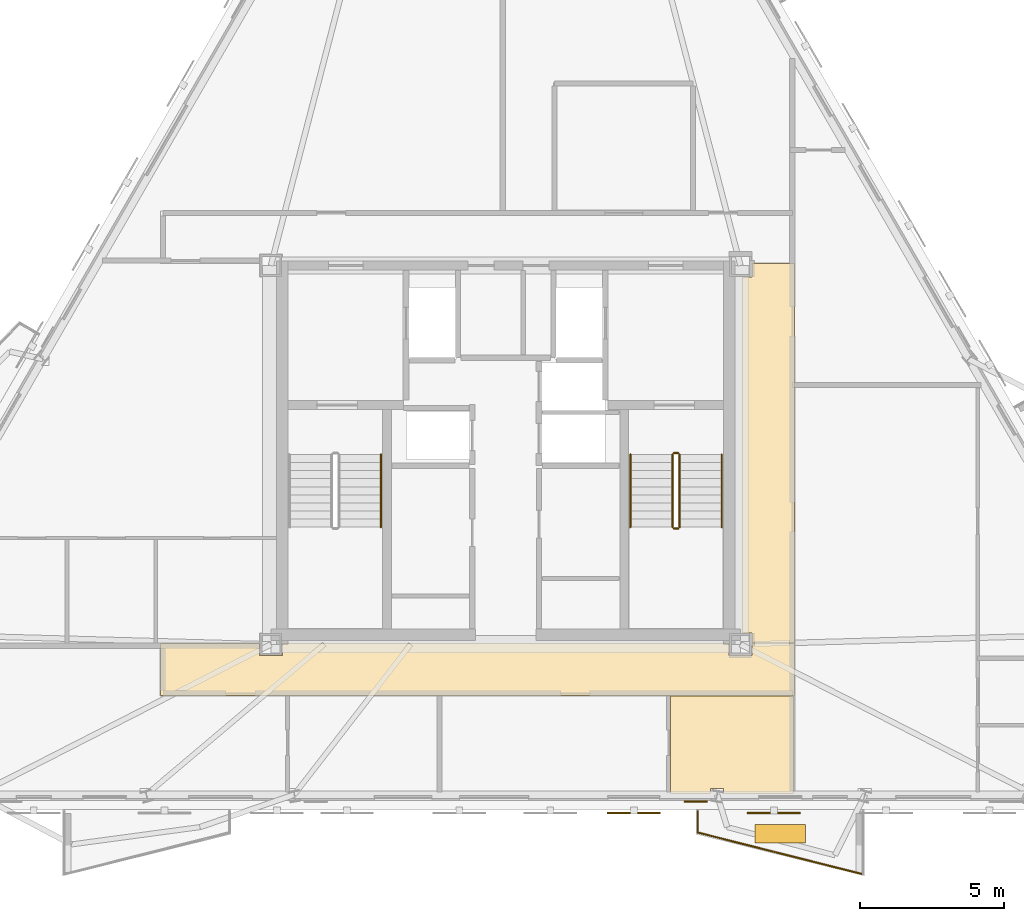
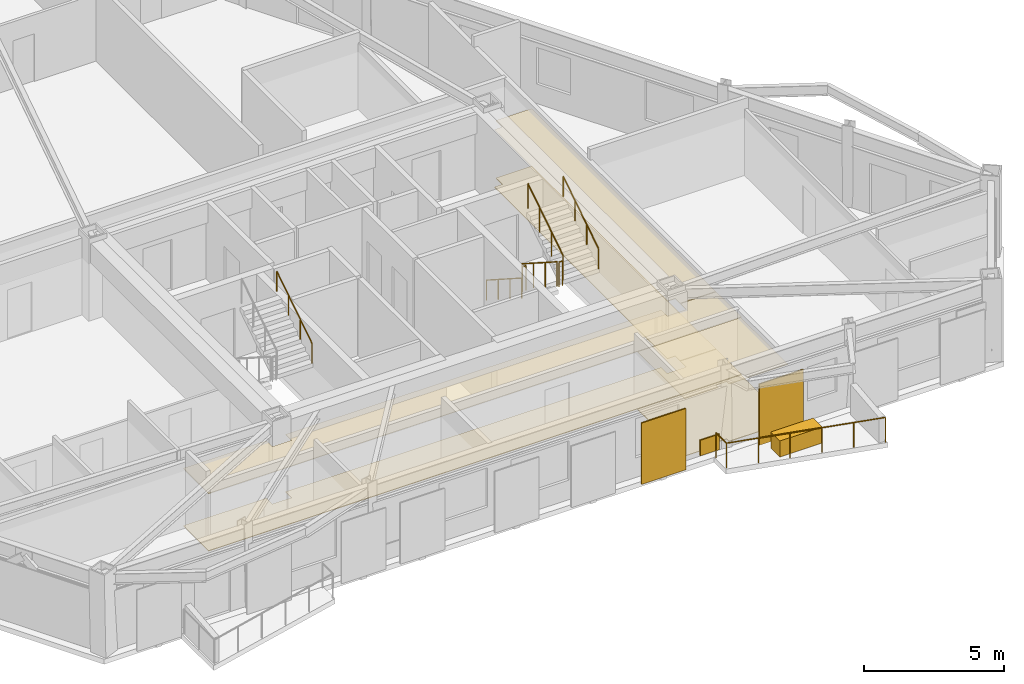
# One storey, part 8 of 9: 9 railings, 8 coverings, 2 shading devices.
"""IFC4 building model written with IfcOpenShell, lengths in metres."""

from ifc_helpers import new_model, si_unit, direction, frame, origin, origin_2d, place, context, subcontext, project, spatial, polyline, rectangle, circle, outline, extrude, material, layer, layer_set, type_object, element, save


model = new_model("IFC4")

# Units and contexts
model_context = context("Model", 3, precision=1e-05, world=origin(), true_north=direction((0.0, 1.0)))
body_context = subcontext(model_context, "Body", "Model", "MODEL_VIEW")
ifc_project = project(units=[si_unit("LENGTHUNIT", "METRE"), si_unit("AREAUNIT", "SQUARE_METRE"), si_unit("VOLUMEUNIT", "CUBIC_METRE"), si_unit("PLANEANGLEUNIT", "RADIAN"), si_unit("MASSUNIT", "GRAM", prefix="KILO")], contexts=[model_context])

# Site, building, storey
site_placement = place(None, origin())
site = spatial("IfcSite", under=ifc_project, at=site_placement, CompositionType="ELEMENT")
building_placement = place(site_placement, origin())
building = spatial("IfcBuilding", under=site, at=building_placement, Name="Oramaril Tower", CompositionType="ELEMENT")
storey_placement = place(building_placement, frame((0.0, 0.0, 219.89990234375)))
storey = spatial("IfcBuildingStorey", under=building, at=storey_placement, Name="L58", CompositionType="ELEMENT", Elevation=219.89990234375)

# Coverings
ifc_material_1 = material(Name="Mineral Fibre Acoustic Ceiling")
ifc_layer_1 = layer(ifc_material_1, 0.02001953125)
ifc_layer_set_1 = layer_set([ifc_layer_1], Name="CVT-CEIL")
covering_type_1 = type_object("IfcCoveringType", Name="CVT-CEIL", PredefinedType="CEILING", material=ifc_layer_set_1)
covering_1_placement = place(storey_placement, frame((0.0, 0.0, 2.51220703125)))
element("IfcCovering", 1, at=covering_1_placement, inside=storey, type_object=covering_type_1, Name="L58 Acoustic Suspended Ceiling 1", PredefinedType="CEILING", context=body_context, shape_type="SweptSolid", body=[
    extrude(outline(polyline([(28.955078125, 10.60498046875), (29.7451171875, 10.60498046875), (29.7451171875, 11.030029296875), (45.2548828125, 11.030029296875), (45.2548828125, 10.60498046875), (46.044921875, 10.60498046875), (46.044921875, 11.030029296875), (47.530029296875, 11.030029296875), (47.530029296875, 9.219970703125), (25.52001953125, 9.219970703125), (25.52001953125, 11.030029296875), (28.955078125, 11.030029296875), (28.955078125, 10.60498046875)])), origin(), (0.0, 0.0, 1.0), 0.019775390625),
])
covering_2_placement = place(storey_placement, frame((0.0, 0.0, 2.51220703125)))
element("IfcCovering", 2, at=covering_2_placement, inside=storey, type_object=covering_type_1, Name="L58 Acoustic Suspended Ceiling 3", PredefinedType="CEILING", context=body_context, shape_type="SweptSolid", body=[
    extrude(outline(polyline([(47.530029296875, 11.050048828125), (46.044921875, 11.050048828125), (46.044921875, 11.39501953125), (45.719970703125, 11.39501953125), (45.719970703125, 23.7548828125), (46.044921875, 23.7548828125), (46.044921875, 24.219970703125), (47.530029296875, 24.219970703125), (47.530029296875, 11.050048828125)])), origin(), (0.0, 0.0, 1.0), 0.019775390625),
])
covering_3_placement = place(storey_placement, frame((0.0, 0.0, 2.51220703125)))
element("IfcCovering", 3, at=covering_3_placement, inside=storey, type_object=covering_type_1, Name="L58 Acoustic Suspended Ceiling 8", PredefinedType="CEILING", context=body_context, shape_type="SweptSolid", body=[
    extrude(outline(polyline([(45.05712890625, 6.00341796875), (44.607177734375, 6.00341796875), (44.607177734375, 5.826171875), (43.224609375, 5.826171875), (43.224609375, 9.199951171875), (47.491943359375, 9.199951171875), (47.491943359375, 5.826171875), (45.05712890625, 5.826171875), (45.05712890625, 6.00341796875)])), origin(), (0.0, 0.0, 1.0), 0.019775390625),
])
ifc_material_2 = material(Name="Warm Cream Limestone", Category="masonry")
ifc_layer_2 = layer(ifc_material_2, 0.050048828125)
ifc_layer_set_2 = layer_set([ifc_layer_2], Name="CVT-CLD")
covering_type_2 = type_object("IfcCoveringType", Name="CVT-CLD", PredefinedType="CLADDING", material=ifc_layer_set_2)
covering_4_placement = place(storey_placement, frame((44.093994140625, 5.550048828125, 0.0400390625), z_axis=(0.0, 0.0, 1.0), x_axis=(1.0, 0.0, 0.0)))
element("IfcCovering", 4, at=covering_4_placement, inside=storey, type_object=covering_type_2, Name="L58 Warm Cream Limestone Spandrel Cladding", PredefinedType="CLADDING", context=body_context, shape_type="SweptSolid", body=[
    extrude(rectangle(XDim=0.800048828125, YDim=0.050048828125, at=origin_2d()), origin(), (0.0, 0.0, 1.0), 0.679931640625),
])
covering_5_placement = place(storey_placement, frame((47.032470703125, 4.421630859375, 0.0), z_axis=(0.0, 0.0, 1.0), x_axis=(1.0, 0.0, 0.0)))
element("IfcCovering", 5, at=covering_5_placement, inside=storey, type_object=covering_type_2, Name="L58 Structural Tree Planter Box L58-BAL-S2", PredefinedType="CLADDING", context=body_context, shape_type="SweptSolid", body=[
    extrude(rectangle(XDim=1.75, YDim=0.64990234375, at=origin_2d()), origin(), (0.0, 0.0, 1.0), 0.699951171875),
])
ifc_material_3 = material(Name="Honed Quartzite Stone Flooring", Category="masonry")
ifc_layer_3 = layer(ifc_material_3, 0.02490234375)
ifc_layer_set_3 = layer_set([ifc_layer_3], Name="CVT-FLR")
covering_type_3 = type_object("IfcCoveringType", Name="CVT-FLR", PredefinedType="FLOORING", material=ifc_layer_set_3)
covering_6_placement = place(storey_placement, origin())
element("IfcCovering", 6, at=covering_6_placement, inside=storey, type_object=covering_type_3, Name="L58 Honed Stone Floor Finish 1", PredefinedType="FLOORING", context=body_context, shape_type="SweptSolid", body=[
    extrude(outline(polyline([(28.955078125, 10.60498046875), (29.7451171875, 10.60498046875), (29.7451171875, 11.030029296875), (45.2548828125, 11.030029296875), (45.2548828125, 10.60498046875), (46.044921875, 10.60498046875), (46.044921875, 11.030029296875), (47.530029296875, 11.030029296875), (47.530029296875, 9.219970703125), (25.52001953125, 9.219970703125), (25.52001953125, 11.030029296875), (28.955078125, 11.030029296875), (28.955078125, 10.60498046875)])), origin(), (0.0, 0.0, 1.0), 0.025146484375),
])
covering_7_placement = place(storey_placement, origin())
element("IfcCovering", 7, at=covering_7_placement, inside=storey, type_object=covering_type_3, Name="L58 Honed Stone Floor Finish 3", PredefinedType="FLOORING", context=body_context, shape_type="SweptSolid", body=[
    extrude(outline(polyline([(47.530029296875, 11.050048828125), (46.044921875, 11.050048828125), (46.044921875, 11.39501953125), (45.719970703125, 11.39501953125), (45.719970703125, 23.7548828125), (46.044921875, 23.7548828125), (46.044921875, 24.219970703125), (47.530029296875, 24.219970703125), (47.530029296875, 11.050048828125)])), origin(), (0.0, 0.0, 1.0), 0.025146484375),
])
covering_8_placement = place(storey_placement, origin())
element("IfcCovering", 8, at=covering_8_placement, inside=storey, type_object=covering_type_3, Name="L58 Honed Stone Floor Finish 8", PredefinedType="FLOORING", context=body_context, shape_type="SweptSolid", body=[
    extrude(outline(polyline([(45.05712890625, 6.00341796875), (44.607177734375, 6.00341796875), (44.607177734375, 5.826171875), (43.224609375, 5.826171875), (43.224609375, 9.199951171875), (47.491943359375, 9.199951171875), (47.491943359375, 5.826171875), (45.05712890625, 5.826171875), (45.05712890625, 6.00341796875)])), origin(), (0.0, 0.0, 1.0), 0.025146484375),
])

# Railings
ifc_material_4 = material(Name="Stainless Steel 316L", Category="steel")
railing_type_1 = type_object("IfcRailingType", Name="RLT-GRD", PredefinedType="GUARDRAIL", material=ifc_material_4)
railing_1_placement = place(storey_placement, frame((49.8974609375, 3.01806640625, 0.0)))
element("IfcRailing", 9, at=railing_1_placement, inside=storey, type_object=railing_type_1, Name="L58 Balcony Guardrail L58-BAL-S2.2", PredefinedType="GUARDRAIL", context=body_context, shape_type="SweptSolid", body=[
    extrude(circle(Radius=0.02392578125, at=origin_2d()), frame((0.0, 0.0, 1.076171875), z_axis=(-0.969443611257, 0.245314256807, 0.0), x_axis=(-0.245314256807, -0.969443611257, 0.0)), (0.0, 0.0, 1.0), 5.91064453125),
    extrude(circle(Radius=0.02099609375, at=origin_2d()), origin(), (0.0, 0.0, 1.0), 1.052001953125),
    extrude(circle(Radius=0.02099609375, at=origin_2d()), frame((-1.14599609375, 0.2900390625, 0.0)), (0.0, 0.0, 1.0), 1.052001953125),
    extrude(circle(Radius=0.02099609375, at=origin_2d()), frame((-2.2919921875, 0.580078125, 0.0)), (0.0, 0.0, 1.0), 1.052001953125),
    extrude(circle(Radius=0.02099609375, at=origin_2d()), frame((-3.43798828125, 0.869873046875, 0.0)), (0.0, 0.0, 1.0), 1.052001953125),
    extrude(circle(Radius=0.02099609375, at=origin_2d()), frame((-4.583984375, 1.159912109375, 0.0)), (0.0, 0.0, 1.0), 1.052001953125),
    extrude(circle(Radius=0.02099609375, at=origin_2d()), frame((-5.72998046875, 1.449951171875, 0.0)), (0.0, 0.0, 1.0), 1.052001953125),
])
railing_2_placement = place(storey_placement, frame((44.16748046875, 4.468017578125, 0.0)))
element("IfcRailing", 10, at=railing_2_placement, inside=storey, type_object=railing_type_1, Name="L58 Balcony Guardrail L58-BAL-S2.3", PredefinedType="GUARDRAIL", context=body_context, shape_type="SweptSolid", body=[
    extrude(circle(Radius=0.02392578125, at=origin_2d()), frame((0.0, 0.0, 1.076171875), z_axis=(0.0, 1.0, 0.0), x_axis=(-1.0, 0.0, 0.0)), (0.0, 0.0, 1.0), 0.7421875),
    extrude(circle(Radius=0.02099609375, at=origin_2d()), origin(), (0.0, 0.0, 1.0), 1.052001953125),
    extrude(circle(Radius=0.02099609375, at=origin_2d()), frame((0.0, 0.7421875, 0.0)), (0.0, 0.0, 1.0), 1.052001953125),
])
railing_3_placement = place(storey_placement, frame((43.2900390625, 17.590087890625, 0.18017578125)))
element("IfcRailing", 11, at=railing_3_placement, inside=storey, type_object=railing_type_1, Name="L58 ST-2 stair guard 1", PredefinedType="GUARDRAIL", context=body_context, shape_type="SweptSolid", body=[
    extrude(circle(Radius=0.02392578125, at=origin_2d()), frame((0.0, 0.0, 1.076171875), z_axis=(0.0, -0.841199657755, 0.540724639528), x_axis=(1.0, 0.0, 0.0)), (0.0, 0.0, 1.0), 2.995849609375),
    extrude(circle(Radius=0.02099609375, at=origin_2d()), origin(), (0.0, 0.0, 1.0), 1.052001953125),
    extrude(circle(Radius=0.02099609375, at=origin_2d()), frame((0.0, -0.840087890625, 0.5400390625)), (0.0, 0.0, 1.0), 1.052001953125),
    extrude(circle(Radius=0.02099609375, at=origin_2d()), frame((0.0, -1.679931640625, 1.079833984375)), (0.0, 0.0, 1.0), 1.052001953125),
    extrude(circle(Radius=0.02099609375, at=origin_2d()), frame((0.0, -2.52001953125, 1.619873046875)), (0.0, 0.0, 1.0), 1.052001953125),
])
railing_4_placement = place(storey_placement, frame((43.340087890625, 15.02001953125, 1.800048828125)))
element("IfcRailing", 12, at=railing_4_placement, inside=storey, type_object=railing_type_1, Name="L58 ST-2 stair guard 2", PredefinedType="GUARDRAIL", context=body_context, shape_type="SweptSolid", body=[
    extrude(circle(Radius=0.02392578125, at=origin_2d()), frame((0.0, 0.0, 1.076171875), z_axis=(1.0, 0.0, 0.0), x_axis=(0.0, 1.0, 0.0)), (0.0, 0.0, 1.0), 0.14990234375),
    extrude(circle(Radius=0.02099609375, at=origin_2d()), origin(), (0.0, 0.0, 1.0), 1.052001953125),
    extrude(circle(Radius=0.02099609375, at=origin_2d()), frame((0.14990234375, 0.0, 0.0)), (0.0, 0.0, 1.0), 1.052001953125),
])
railing_5_placement = place(storey_placement, frame((43.5400390625, 15.070068359375, 1.97998046875)))
element("IfcRailing", 13, at=railing_5_placement, inside=storey, type_object=railing_type_1, Name="L58 ST-2 stair guard 3", PredefinedType="GUARDRAIL", context=body_context, shape_type="SweptSolid", body=[
    extrude(circle(Radius=0.02392578125, at=origin_2d()), frame((0.0, 0.0, 1.076171875), z_axis=(0.0, 0.841162588446, 0.540782303519), x_axis=(-1.0, 0.0, 0.0)), (0.0, 0.0, 1.0), 2.995849609375),
    extrude(circle(Radius=0.02099609375, at=origin_2d()), origin(), (0.0, 0.0, 1.0), 1.052001953125),
    extrude(circle(Radius=0.02099609375, at=origin_2d()), frame((0.0, 0.840087890625, 0.5400390625)), (0.0, 0.0, 1.0), 1.052001953125),
    extrude(circle(Radius=0.02099609375, at=origin_2d()), frame((0.0, 1.679931640625, 1.080078125)), (0.0, 0.0, 1.0), 1.052001953125),
    extrude(circle(Radius=0.02099609375, at=origin_2d()), frame((0.0, 2.52001953125, 1.6201171875)), (0.0, 0.0, 1.0), 1.052001953125),
])
railing_6_placement = place(storey_placement, frame((43.340087890625, 17.639892578125, 0.0)))
element("IfcRailing", 14, at=railing_6_placement, inside=storey, type_object=railing_type_1, Name="L58 ST-2 stair guard 4", PredefinedType="GUARDRAIL", context=body_context, shape_type="SweptSolid", body=[
    extrude(circle(Radius=0.02392578125, at=origin_2d()), frame((0.0, 0.0, 1.076171875), z_axis=(1.0, 0.0, 0.0), x_axis=(0.0, 1.0, 0.0)), (0.0, 0.0, 1.0), 0.14990234375),
    extrude(circle(Radius=0.02099609375, at=origin_2d()), origin(), (0.0, 0.0, 1.0), 1.052001953125),
    extrude(circle(Radius=0.02099609375, at=origin_2d()), frame((0.14990234375, 0.0, 0.0)), (0.0, 0.0, 1.0), 1.052001953125),
])
ifc_material_5 = material(Name="Stainless Steel 316L", Category="steel")
railing_type_2 = type_object("IfcRailingType", Name="RLT-HND", PredefinedType="HANDRAIL", material=ifc_material_5)
railing_7_placement = place(storey_placement, frame((33.169921875, 15.070068359375, 1.97998046875)))
element("IfcRailing", 15, at=railing_7_placement, inside=storey, type_object=railing_type_2, Name="L58 ST-1 stair handrail 2", PredefinedType="HANDRAIL", context=body_context, shape_type="SweptSolid", body=[
    extrude(circle(Radius=0.02392578125, at=origin_2d()), frame((0.0, 0.0, 0.8759765625), z_axis=(0.0, 0.841162588446, 0.540782303519), x_axis=(-1.0, 0.0, 0.0)), (0.0, 0.0, 1.0), 2.995849609375),
    extrude(circle(Radius=0.02099609375, at=origin_2d()), origin(), (0.0, 0.0, 1.0), 0.851806640625),
    extrude(circle(Radius=0.02099609375, at=origin_2d()), frame((0.0, 0.840087890625, 0.5400390625)), (0.0, 0.0, 1.0), 0.851806640625),
    extrude(circle(Radius=0.02099609375, at=origin_2d()), frame((0.0, 1.679931640625, 1.080078125)), (0.0, 0.0, 1.0), 0.851806640625),
    extrude(circle(Radius=0.02099609375, at=origin_2d()), frame((0.0, 2.52001953125, 1.6201171875)), (0.0, 0.0, 1.0), 0.851806640625),
])
railing_8_placement = place(storey_placement, frame((41.830078125, 17.590087890625, 0.18017578125)))
element("IfcRailing", 16, at=railing_8_placement, inside=storey, type_object=railing_type_2, Name="L58 ST-2 stair handrail 1", PredefinedType="HANDRAIL", context=body_context, shape_type="SweptSolid", body=[
    extrude(circle(Radius=0.02392578125, at=origin_2d()), frame((0.0, 0.0, 0.8759765625), z_axis=(0.0, -0.841199657755, 0.540724639528), x_axis=(1.0, 0.0, 0.0)), (0.0, 0.0, 1.0), 2.995849609375),
    extrude(circle(Radius=0.02099609375, at=origin_2d()), origin(), (0.0, 0.0, 1.0), 0.851806640625),
    extrude(circle(Radius=0.02099609375, at=origin_2d()), frame((0.0, -0.840087890625, 0.5400390625)), (0.0, 0.0, 1.0), 0.851806640625),
    extrude(circle(Radius=0.02099609375, at=origin_2d()), frame((0.0, -1.679931640625, 1.079833984375)), (0.0, 0.0, 1.0), 0.851806640625),
    extrude(circle(Radius=0.02099609375, at=origin_2d()), frame((0.0, -2.52001953125, 1.619873046875)), (0.0, 0.0, 1.0), 0.851806640625),
])
railing_9_placement = place(storey_placement, frame((45.0, 15.070068359375, 1.97998046875)))
element("IfcRailing", 17, at=railing_9_placement, inside=storey, type_object=railing_type_2, Name="L58 ST-2 stair handrail 2", PredefinedType="HANDRAIL", context=body_context, shape_type="SweptSolid", body=[
    extrude(circle(Radius=0.02392578125, at=origin_2d()), frame((0.0, 0.0, 0.8759765625), z_axis=(0.0, 0.841162588446, 0.540782303519), x_axis=(-1.0, 0.0, 0.0)), (0.0, 0.0, 1.0), 2.995849609375),
    extrude(circle(Radius=0.02099609375, at=origin_2d()), origin(), (0.0, 0.0, 1.0), 0.851806640625),
    extrude(circle(Radius=0.02099609375, at=origin_2d()), frame((0.0, 0.840087890625, 0.5400390625)), (0.0, 0.0, 1.0), 0.851806640625),
    extrude(circle(Radius=0.02099609375, at=origin_2d()), frame((0.0, 1.679931640625, 1.080078125)), (0.0, 0.0, 1.0), 0.851806640625),
    extrude(circle(Radius=0.02099609375, at=origin_2d()), frame((0.0, 2.52001953125, 1.6201171875)), (0.0, 0.0, 1.0), 0.851806640625),
])

# Shading devices
for number, where, z_axis, x_axis, name in (
    (18, (41.947998046875, 5.13818359375, -0.02001953125), (0.0, 0.0, 1.0), (1.0, 0.0, 0.0), "L58 Perforated Ceramic Solar Screen"),
    (19, (46.80810546875, 5.13818359375, -0.02001953125), (0.0, 0.0, 1.0), (1.0, 0.0, 0.0), "L58 Perforated Ceramic Solar Screen"),
):
    element("IfcShadingDevice", number, at=place(storey_placement, frame(where, z_axis=z_axis, x_axis=x_axis)), inside=storey, Name=name, ObjectType="SCREEN", PredefinedType="USERDEFINED", context=body_context, shape_type="SweptSolid", body=[
        extrude(rectangle(XDim=1.8330078125, YDim=0.050048828125, at=origin_2d()), origin(), (0.0, 0.0, 1.0), 2.677001953125),
    ])

save(model, "model.ifc")
